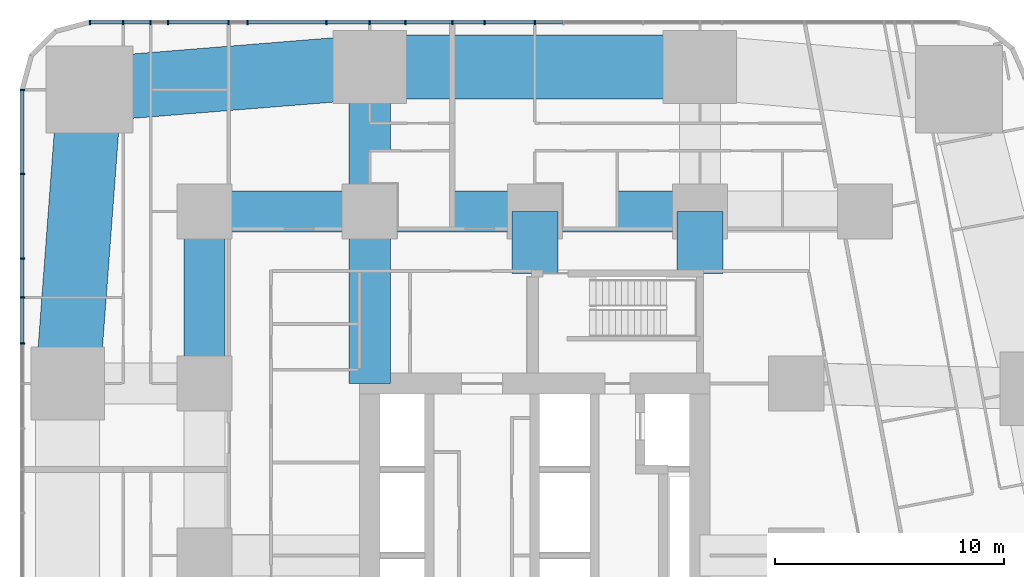
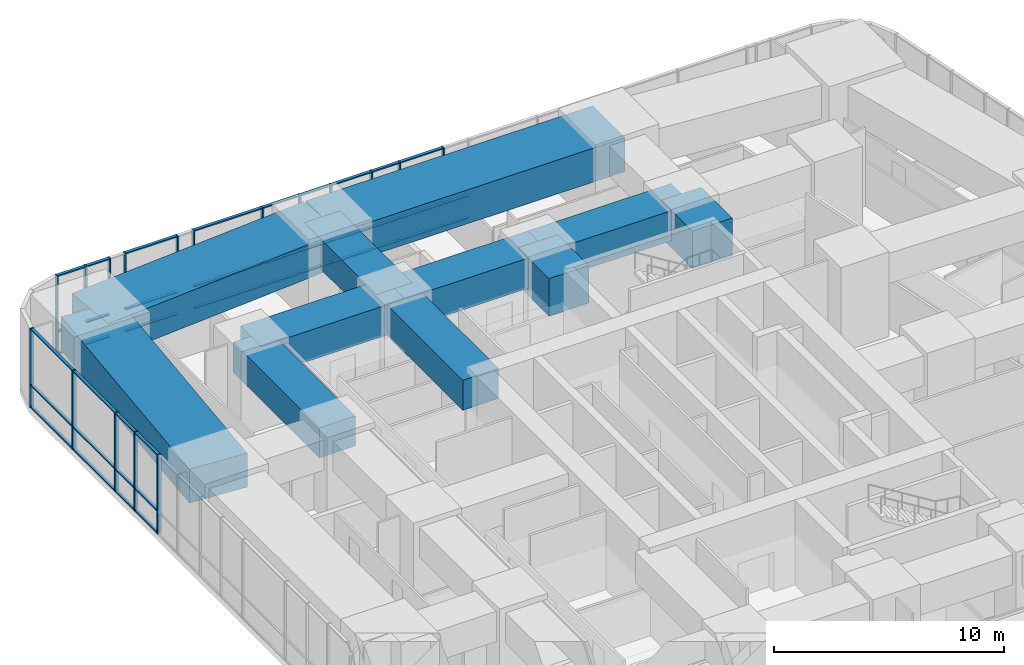
# One storey, part 7 of 22: 58 members, 11 beams, 2 elements without a shape of their own.
"""IFC4 building model written with IfcOpenShell, lengths in metres."""

from ifc_helpers import new_model, si_unit, direction, frame, origin, origin_2d, place, context, subcontext, project, spatial, rectangle, extrude, material, material_profile, profile_set, type_object, element, aggregate, save


model = new_model("IFC4")

# Units and contexts
model_context = context("Model", 3, precision=1e-05, world=origin(), true_north=direction((0.0, 1.0)))
body_context = subcontext(model_context, "Body", "Model", "MODEL_VIEW")
ifc_project = project(units=[si_unit("LENGTHUNIT", "METRE"), si_unit("AREAUNIT", "SQUARE_METRE"), si_unit("VOLUMEUNIT", "CUBIC_METRE"), si_unit("PLANEANGLEUNIT", "RADIAN"), si_unit("MASSUNIT", "GRAM", prefix="KILO")], contexts=[model_context])

# Site, building, storey
site_placement = place(None, origin())
site = spatial("IfcSite", under=ifc_project, at=site_placement, CompositionType="ELEMENT")
building_placement = place(site_placement, origin())
building = spatial("IfcBuilding", under=site, at=building_placement, Name="Sheger Commons Tower", CompositionType="ELEMENT")
storey_placement = place(building_placement, frame((0.0, 0.0, 10.10009765625)))
storey = spatial("IfcBuildingStorey", under=building, at=storey_placement, Name="L02", CompositionType="ELEMENT", Elevation=10.10009765625)

# Beams
ifc_material_1 = material(Name="Concrete C50/60", Category="concrete")
ifc_material_profile_1 = material_profile(ifc_material_1, rectangle(XDim=1.800048828125, YDim=1.60009765625, at=origin_2d()), Name="RC 1800x1600")
ifc_profile_set_1 = profile_set([ifc_material_profile_1], Name="Concrete C50/60")
beam_type_1 = type_object("IfcBeamType", Name="BEAM RC 1800x1600", PredefinedType="BEAM", material=ifc_profile_set_1)
beam_1_placement = place(storey_placement, frame((7.199951171875, 37.5, 3.39990234375), z_axis=(1.0, 0.0, 0.0), x_axis=(0.0, 1.0, 0.0)))
element("IfcBeam", 1, at=beam_1_placement, inside=storey, type_object=beam_type_1, Name="Beam 2/F-3/F under L03", PredefinedType="BEAM", context=body_context, shape_type="SweptSolid", body=[
    extrude(rectangle(XDim=1.800048828125, YDim=1.60009765625, at=origin_2d()), origin(), (0.0, 0.0, 1.0), 7.199951171875),
])
beam_2_placement = place(storey_placement, frame((14.39990234375, 37.5, 3.39990234375), z_axis=(1.0, 0.0, 0.0), x_axis=(0.0, 1.0, 0.0)))
element("IfcBeam", 2, at=beam_2_placement, inside=storey, type_object=beam_type_1, Name="Beam 3/F-4/F under L03", PredefinedType="BEAM", context=body_context, shape_type="SweptSolid", body=[
    extrude(rectangle(XDim=1.800048828125, YDim=1.60009765625, at=origin_2d()), origin(), (0.0, 0.0, 1.0), 7.2001953125),
])
beam_3_placement = place(storey_placement, frame((21.60009765625, 37.5, 3.39990234375), z_axis=(1.0, 0.0, 0.0), x_axis=(0.0, 1.0, 0.0)))
element("IfcBeam", 3, at=beam_3_placement, inside=storey, type_object=beam_type_1, Name="Beam 4/F-5/F under L03", PredefinedType="BEAM", context=body_context, shape_type="SweptSolid", body=[
    extrude(rectangle(XDim=1.800048828125, YDim=1.60009765625, at=origin_2d()), origin(), (0.0, 0.0, 1.0), 7.199951171875),
])
for number, where, z_axis, x_axis, name in (
    (4, (7.199951171875, 30.0, 3.39990234375), (0.0, 1.0, 0.0), (-1.0, 0.0, 0.0), "Beam 2/E-2/F under L03"),
    (5, (14.39990234375, 30.0, 3.39990234375), (0.0, 1.0, 0.0), (-1.0, 0.0, 0.0), "Beam 3/E-3/F under L03"),
):
    element("IfcBeam", number, at=place(storey_placement, frame(where, z_axis=z_axis, x_axis=x_axis)), inside=storey, type_object=beam_type_1, Name=name, PredefinedType="BEAM", context=body_context, shape_type="SweptSolid", body=[
        extrude(rectangle(XDim=1.800048828125, YDim=1.60009765625, at=origin_2d()), origin(), (0.0, 0.0, 1.0), 7.5),
    ])
beam_4_placement = place(storey_placement, frame((14.39990234375, 37.5, 3.39990234375), z_axis=(0.0, 1.0, 0.0), x_axis=(-1.0, 0.0, 0.0)))
element("IfcBeam", 6, at=beam_4_placement, inside=storey, type_object=beam_type_1, Name="Beam 3/F-3/G under L03", PredefinedType="BEAM", context=body_context, shape_type="SweptSolid", body=[
    extrude(rectangle(XDim=1.800048828125, YDim=1.60009765625, at=origin_2d()), origin(), (0.0, 0.0, 1.0), 6.300048828125),
])
ifc_material_2 = material(Name="Concrete C50/60", Category="concrete")
ifc_material_profile_2 = material_profile(ifc_material_2, rectangle(XDim=2.0, YDim=2.0, at=origin_2d()), Name="RC 2000x2000")
ifc_profile_set_2 = profile_set([ifc_material_profile_2], Name="Concrete C50/60")
beam_type_2 = type_object("IfcBeamType", Name="BEAM RC 2000x2000", PredefinedType="BEAM", material=ifc_profile_set_2)
for number, where, z_axis, x_axis, name in (
    (7, (21.60009765625, 34.800048828125, 3.199951171875), (0.0, 1.0, 0.0), (-1.0, 0.0, 0.0), "Beam 21.600,34.800-4/F under L03"),
    (8, (28.800048828125, 34.800048828125, 3.199951171875), (0.0, 1.0, 0.0), (-1.0, 0.0, 0.0), "Beam 28.800,34.800-5/F under L03"),
):
    element("IfcBeam", number, at=place(storey_placement, frame(where, z_axis=z_axis, x_axis=x_axis)), inside=storey, type_object=beam_type_2, Name=name, PredefinedType="BEAM", context=body_context, shape_type="SweptSolid", body=[
        extrude(rectangle(XDim=2.0, YDim=2.0, at=origin_2d()), origin(), (0.0, 0.0, 1.0), 2.699951171875),
    ])

# Curtain wall, members
ifc_material_3 = material(Name="Black aluminium curtain wall, dark tinted glazing", Category="aluminium")
curtain_wall_type = type_object("IfcCurtainWallType", Name="CURTAIN WALL CW2 HEALTH CENTRE", PredefinedType="USERDEFINED", material=ifc_material_3)
curtain_wall_1_placement = place(storey_placement, origin())
curtain_wall_1 = element("IfcCurtainWall", 9, at=curtain_wall_1_placement, inside=storey, type_object=curtain_wall_type, Name="Curtain Wall Cw2 Health Centre N1 L02", ObjectType="STICK CURTAIN WALL", PredefinedType="USERDEFINED")
ifc_material_4 = material(Name="Black anodised aluminium", Category="aluminium")
ifc_material_profile_3 = material_profile(ifc_material_4, rectangle(XDim=0.199951171875, YDim=0.06494140625, at=origin_2d()), Name="AL 65x200")
ifc_profile_set_3 = profile_set([ifc_material_profile_3], Name="Black anodised aluminium")
member_type_1 = type_object("IfcMemberType", Name="MULLION AL 65x200", PredefinedType="MULLION", material=ifc_profile_set_3)
member_1_placement = place(storey_placement, frame((21.60009765625, 45.75, 0.0), z_axis=(0.0, 0.0, 1.0), x_axis=(0.0, -1.0, 0.0)))
member_1 = element("IfcMember", 10, at=member_1_placement, type_object=member_type_1, Name="CW2 mullion 10", PredefinedType="MULLION", context=body_context, shape_type="SweptSolid", body=[
    extrude(rectangle(XDim=0.199951171875, YDim=0.06494140625, at=origin_2d()), origin(), (0.0, 0.0, 1.0), 4.199951171875),
])
member_2_placement = place(storey_placement, frame((19.409912109375, 45.75, 0.0), z_axis=(0.0, 0.0, 1.0), x_axis=(0.0, -1.0, 0.0)))
member_2 = element("IfcMember", 11, at=member_2_placement, type_object=member_type_1, Name="CW2 mullion 11", PredefinedType="MULLION", context=body_context, shape_type="SweptSolid", body=[
    extrude(rectangle(XDim=0.199951171875, YDim=0.06494140625, at=origin_2d()), origin(), (0.0, 0.0, 1.0), 4.199951171875),
])
member_3_placement = place(storey_placement, frame((18.0, 45.75, 0.0), z_axis=(0.0, 0.0, 1.0), x_axis=(0.0, -1.0, 0.0)))
member_3 = element("IfcMember", 12, at=member_3_placement, type_object=member_type_1, Name="CW2 mullion 12", PredefinedType="MULLION", context=body_context, shape_type="SweptSolid", body=[
    extrude(rectangle(XDim=0.199951171875, YDim=0.06494140625, at=origin_2d()), origin(), (0.0, 0.0, 1.0), 4.199951171875),
])
member_4_placement = place(storey_placement, frame((15.9599609375, 45.75, 0.0), z_axis=(0.0, 0.0, 1.0), x_axis=(0.0, -1.0, 0.0)))
member_4 = element("IfcMember", 13, at=member_4_placement, type_object=member_type_1, Name="CW2 mullion 13", PredefinedType="MULLION", context=body_context, shape_type="SweptSolid", body=[
    extrude(rectangle(XDim=0.199951171875, YDim=0.06494140625, at=origin_2d()), origin(), (0.0, 0.0, 1.0), 4.199951171875),
])
member_5_placement = place(storey_placement, frame((14.39990234375, 45.75, 0.0), z_axis=(0.0, 0.0, 1.0), x_axis=(0.0, -1.0, 0.0)))
member_5 = element("IfcMember", 14, at=member_5_placement, type_object=member_type_1, Name="CW2 mullion 14", PredefinedType="MULLION", context=body_context, shape_type="SweptSolid", body=[
    extrude(rectangle(XDim=0.199951171875, YDim=0.06494140625, at=origin_2d()), origin(), (0.0, 0.0, 1.0), 4.199951171875),
])
member_6_placement = place(storey_placement, frame((12.510986328125, 45.75, 0.0), z_axis=(0.0, 0.0, 1.0), x_axis=(0.0, -1.0, 0.0)))
member_6 = element("IfcMember", 15, at=member_6_placement, type_object=member_type_1, Name="CW2 mullion 15", PredefinedType="MULLION", context=body_context, shape_type="SweptSolid", body=[
    extrude(rectangle(XDim=0.199951171875, YDim=0.06494140625, at=origin_2d()), origin(), (0.0, 0.0, 1.0), 4.199951171875),
])
member_7_placement = place(storey_placement, frame((9.06201171875, 45.75, 0.0), z_axis=(0.0, 0.0, 1.0), x_axis=(0.0, -1.0, 0.0)))
member_7 = element("IfcMember", 16, at=member_7_placement, type_object=member_type_1, Name="CW2 mullion 16", PredefinedType="MULLION", context=body_context, shape_type="SweptSolid", body=[
    extrude(rectangle(XDim=0.199951171875, YDim=0.06494140625, at=origin_2d()), origin(), (0.0, 0.0, 1.0), 4.199951171875),
])
member_8_placement = place(storey_placement, frame((8.25, 45.75, 0.0), z_axis=(0.0, 0.0, 1.0), x_axis=(0.0, -1.0, 0.0)))
member_8 = element("IfcMember", 17, at=member_8_placement, type_object=member_type_1, Name="CW2 mullion 17", PredefinedType="MULLION", context=body_context, shape_type="SweptSolid", body=[
    extrude(rectangle(XDim=0.199951171875, YDim=0.06494140625, at=origin_2d()), origin(), (0.0, 0.0, 1.0), 4.199951171875),
])
member_9_placement = place(storey_placement, frame((5.612060546875, 45.75, 0.0), z_axis=(0.0, 0.0, 1.0), x_axis=(0.0, -1.0, 0.0)))
member_9 = element("IfcMember", 18, at=member_9_placement, type_object=member_type_1, Name="CW2 mullion 18", PredefinedType="MULLION", context=body_context, shape_type="SweptSolid", body=[
    extrude(rectangle(XDim=0.199951171875, YDim=0.06494140625, at=origin_2d()), origin(), (0.0, 0.0, 1.0), 4.199951171875),
])
member_10_placement = place(storey_placement, frame((4.85009765625, 45.75, 0.0), z_axis=(0.0, 0.0, 1.0), x_axis=(0.0, -1.0, 0.0)))
member_10 = element("IfcMember", 19, at=member_10_placement, type_object=member_type_1, Name="CW2 mullion 19", PredefinedType="MULLION", context=body_context, shape_type="SweptSolid", body=[
    extrude(rectangle(XDim=0.199951171875, YDim=0.06494140625, at=origin_2d()), origin(), (0.0, 0.0, 1.0), 4.199951171875),
])
member_11_placement = place(storey_placement, frame((3.64990234375, 45.75, 0.0), z_axis=(0.0, 0.0, 1.0), x_axis=(0.0, -1.0, 0.0)))
member_11 = element("IfcMember", 20, at=member_11_placement, type_object=member_type_1, Name="CW2 mullion 20", PredefinedType="MULLION", context=body_context, shape_type="SweptSolid", body=[
    extrude(rectangle(XDim=0.199951171875, YDim=0.06494140625, at=origin_2d()), origin(), (0.0, 0.0, 1.0), 4.199951171875),
])
member_12_placement = place(storey_placement, frame((2.195556640625, 45.75, 0.0), z_axis=(0.0, 0.0, 1.0), x_axis=(0.0, -1.0, 0.0)))
member_12 = element("IfcMember", 21, at=member_12_placement, type_object=member_type_1, Name="CW2 mullion 21", PredefinedType="MULLION", context=body_context, shape_type="SweptSolid", body=[
    extrude(rectangle(XDim=0.199951171875, YDim=0.06494140625, at=origin_2d()), origin(), (0.0, 0.0, 1.0), 4.199951171875),
])

curtain_wall_2_placement = place(storey_placement, origin())
curtain_wall_2 = element("IfcCurtainWall", 22, at=curtain_wall_2_placement, inside=storey, type_object=curtain_wall_type, Name="Curtain Wall Cw2 Health Centre W1 L02", ObjectType="STICK CURTAIN WALL", PredefinedType="USERDEFINED")
member_13_placement = place(storey_placement, frame((-0.75, 42.804443359375, 0.0), z_axis=(0.0, 0.0, 1.0), x_axis=(1.0, 0.0, 0.0)))
member_13 = element("IfcMember", 23, at=member_13_placement, type_object=member_type_1, Name="CW2 mullion 1", PredefinedType="MULLION", context=body_context, shape_type="SweptSolid", body=[
    extrude(rectangle(XDim=0.199951171875, YDim=0.06494140625, at=origin_2d()), origin(), (0.0, 0.0, 1.0), 4.199951171875),
])
member_14_placement = place(storey_placement, frame((-0.75, 39.138916015625, 0.0), z_axis=(0.0, 0.0, 1.0), x_axis=(1.0, 0.0, 0.0)))
member_14 = element("IfcMember", 24, at=member_14_placement, type_object=member_type_1, Name="CW2 mullion 2", PredefinedType="MULLION", context=body_context, shape_type="SweptSolid", body=[
    extrude(rectangle(XDim=0.199951171875, YDim=0.06494140625, at=origin_2d()), origin(), (0.0, 0.0, 1.0), 4.199951171875),
])
member_15_placement = place(storey_placement, frame((-0.75, 35.44189453125, 0.0), z_axis=(0.0, 0.0, 1.0), x_axis=(1.0, 0.0, 0.0)))
member_15 = element("IfcMember", 25, at=member_15_placement, type_object=member_type_1, Name="CW2 mullion 3", PredefinedType="MULLION", context=body_context, shape_type="SweptSolid", body=[
    extrude(rectangle(XDim=0.199951171875, YDim=0.06494140625, at=origin_2d()), origin(), (0.0, 0.0, 1.0), 4.199951171875),
])
member_16_placement = place(storey_placement, frame((-0.75, 33.75, 0.0), z_axis=(0.0, 0.0, 1.0), x_axis=(1.0, 0.0, 0.0)))
member_16 = element("IfcMember", 26, at=member_16_placement, type_object=member_type_1, Name="CW2 mullion 4", PredefinedType="MULLION", context=body_context, shape_type="SweptSolid", body=[
    extrude(rectangle(XDim=0.199951171875, YDim=0.06494140625, at=origin_2d()), origin(), (0.0, 0.0, 1.0), 4.199951171875),
])
member_17_placement = place(storey_placement, frame((-0.75, 31.743896484375, 0.0), z_axis=(0.0, 0.0, 1.0), x_axis=(1.0, 0.0, 0.0)))
member_17 = element("IfcMember", 27, at=member_17_placement, type_object=member_type_1, Name="CW2 mullion 5", PredefinedType="MULLION", context=body_context, shape_type="SweptSolid", body=[
    extrude(rectangle(XDim=0.199951171875, YDim=0.06494140625, at=origin_2d()), origin(), (0.0, 0.0, 1.0), 4.199951171875),
])

# Beams
ifc_material_5 = material(Name="Concrete C50/60", Category="concrete")
ifc_material_profile_4 = material_profile(ifc_material_5, rectangle(XDim=2.800048828125, YDim=1.800048828125, at=origin_2d()), Name="RC 2800x1800")
ifc_profile_set_4 = profile_set([ifc_material_profile_4], Name="Concrete C50/60")
beam_type_3 = type_object("IfcBeamType", Name="SPANDREL RC 2800x1800", PredefinedType="SPANDREL", material=ifc_profile_set_4)
beam_5_placement = place(storey_placement, frame((28.800048828125, 43.800048828125, 3.2998046875), z_axis=(-1.0, 0.0, 0.0), x_axis=(0.0, -1.0, 0.0)))
element("IfcBeam", 28, at=beam_5_placement, inside=storey, type_object=beam_type_3, Name="Beam 5/G-3/G under L03", PredefinedType="SPANDREL", context=body_context, shape_type="SweptSolid", body=[
    extrude(rectangle(XDim=2.800048828125, YDim=1.800048828125, at=origin_2d()), origin(), (0.0, 0.0, 1.0), 14.400146484375),
])
beam_6_placement = place(storey_placement, frame((14.39990234375, 43.800048828125, 3.2998046875), z_axis=(-0.996756793053, -0.080472948891, 0.0), x_axis=(0.080472948891, -0.996756793053, 0.0)))
element("IfcBeam", 29, at=beam_6_placement, inside=storey, type_object=beam_type_3, Name="Beam 3/G-0.630,44.370 under L03", PredefinedType="SPANDREL", context=body_context, shape_type="SweptSolid", body=[
    extrude(rectangle(XDim=2.800048828125, YDim=1.800048828125, at=origin_2d()), origin(), (0.0, 0.0, 1.0), 12.253662109375),
])
beam_7_placement = place(storey_placement, frame((2.18603515625, 42.81396484375, 3.2998046875), z_axis=(-0.074781446354, -0.997199947494, 0.0), x_axis=(0.997199947494, -0.074781446354, 0.0)))
element("IfcBeam", 30, at=beam_7_placement, inside=storey, type_object=beam_type_3, Name="Beam 0.630,44.370-1/E under L03", PredefinedType="SPANDREL", context=body_context, shape_type="SweptSolid", body=[
    extrude(rectangle(XDim=2.800048828125, YDim=1.800048828125, at=origin_2d()), origin(), (0.0, 0.0, 1.0), 12.849853515625),
])

# Member
ifc_material_6 = material(Name="Black anodised aluminium", Category="aluminium")
ifc_material_profile_5 = material_profile(ifc_material_6, rectangle(XDim=0.14990234375, YDim=0.06494140625, at=origin_2d()), Name="AL 65x150")
ifc_profile_set_5 = profile_set([ifc_material_profile_5], Name="Black anodised aluminium")
member_type_2 = type_object("IfcMemberType", Name="TRANSOM AL 65x150", PredefinedType="USERDEFINED", material=ifc_profile_set_5)
member_18_placement = place(storey_placement, frame((22.826416015625, 45.75, 0.032470703125), z_axis=(-1.0, 0.0, 0.0), x_axis=(0.0, -1.0, 0.0)))
member_18 = element("IfcMember", 31, at=member_18_placement, type_object=member_type_2, Name="CW2 transom 9.1", ObjectType="TRANSOM", PredefinedType="USERDEFINED", context=body_context, shape_type="SweptSolid", body=[
    extrude(rectangle(XDim=0.14990234375, YDim=0.06494140625, at=origin_2d()), origin(), (0.0, 0.0, 1.0), 1.19384765625),
])

member_19_placement = place(storey_placement, frame((22.826416015625, 45.75, 1.199951171875), z_axis=(-1.0, 0.0, 0.0), x_axis=(0.0, -1.0, 0.0)))
member_19 = element("IfcMember", 32, at=member_19_placement, type_object=member_type_2, Name="CW2 transom 9.2", ObjectType="TRANSOM", PredefinedType="USERDEFINED", context=body_context, shape_type="SweptSolid", body=[
    extrude(rectangle(XDim=0.14990234375, YDim=0.06494140625, at=origin_2d()), origin(), (0.0, 0.0, 1.0), 1.19384765625),
])

member_20_placement = place(storey_placement, frame((21.5673828125, 45.75, 0.032470703125), z_axis=(-1.0, 0.0, 0.0), x_axis=(0.0, -1.0, 0.0)))
member_20 = element("IfcMember", 33, at=member_20_placement, type_object=member_type_2, Name="CW2 transom 10.1", ObjectType="TRANSOM", PredefinedType="USERDEFINED", context=body_context, shape_type="SweptSolid", body=[
    extrude(rectangle(XDim=0.14990234375, YDim=0.06494140625, at=origin_2d()), origin(), (0.0, 0.0, 1.0), 2.125),
])

member_21_placement = place(storey_placement, frame((21.5673828125, 45.75, 1.199951171875), z_axis=(-1.0, 0.0, 0.0), x_axis=(0.0, -1.0, 0.0)))
member_21 = element("IfcMember", 34, at=member_21_placement, type_object=member_type_2, Name="CW2 transom 10.2", ObjectType="TRANSOM", PredefinedType="USERDEFINED", context=body_context, shape_type="SweptSolid", body=[
    extrude(rectangle(XDim=0.14990234375, YDim=0.06494140625, at=origin_2d()), origin(), (0.0, 0.0, 1.0), 2.125),
])

member_22_placement = place(storey_placement, frame((21.5673828125, 45.75, 4.16748046875), z_axis=(-1.0, 0.0, 0.0), x_axis=(0.0, -1.0, 0.0)))
member_22 = element("IfcMember", 35, at=member_22_placement, type_object=member_type_2, Name="CW2 transom 10.3", ObjectType="TRANSOM", PredefinedType="USERDEFINED", context=body_context, shape_type="SweptSolid", body=[
    extrude(rectangle(XDim=0.14990234375, YDim=0.06494140625, at=origin_2d()), origin(), (0.0, 0.0, 1.0), 2.125),
])

member_23_placement = place(storey_placement, frame((19.37744140625, 45.75, 0.032470703125), z_axis=(-1.0, 0.0, 0.0), x_axis=(0.0, -1.0, 0.0)))
member_23 = element("IfcMember", 36, at=member_23_placement, type_object=member_type_2, Name="CW2 transom 11.1", ObjectType="TRANSOM", PredefinedType="USERDEFINED", context=body_context, shape_type="SweptSolid", body=[
    extrude(rectangle(XDim=0.14990234375, YDim=0.06494140625, at=origin_2d()), origin(), (0.0, 0.0, 1.0), 1.344970703125),
])

member_24_placement = place(storey_placement, frame((19.37744140625, 45.75, 1.199951171875), z_axis=(-1.0, 0.0, 0.0), x_axis=(0.0, -1.0, 0.0)))
member_24 = element("IfcMember", 37, at=member_24_placement, type_object=member_type_2, Name="CW2 transom 11.2", ObjectType="TRANSOM", PredefinedType="USERDEFINED", context=body_context, shape_type="SweptSolid", body=[
    extrude(rectangle(XDim=0.14990234375, YDim=0.06494140625, at=origin_2d()), origin(), (0.0, 0.0, 1.0), 1.344970703125),
])

member_25_placement = place(storey_placement, frame((19.37744140625, 45.75, 4.16748046875), z_axis=(-1.0, 0.0, 0.0), x_axis=(0.0, -1.0, 0.0)))
member_25 = element("IfcMember", 38, at=member_25_placement, type_object=member_type_2, Name="CW2 transom 11.3", ObjectType="TRANSOM", PredefinedType="USERDEFINED", context=body_context, shape_type="SweptSolid", body=[
    extrude(rectangle(XDim=0.14990234375, YDim=0.06494140625, at=origin_2d()), origin(), (0.0, 0.0, 1.0), 1.344970703125),
])

member_26_placement = place(storey_placement, frame((17.967529296875, 45.75, 0.032470703125), z_axis=(-1.0, 0.0, 0.0), x_axis=(0.0, -1.0, 0.0)))
member_26 = element("IfcMember", 39, at=member_26_placement, type_object=member_type_2, Name="CW2 transom 12.1", ObjectType="TRANSOM", PredefinedType="USERDEFINED", context=body_context, shape_type="SweptSolid", body=[
    extrude(rectangle(XDim=0.14990234375, YDim=0.06494140625, at=origin_2d()), origin(), (0.0, 0.0, 1.0), 1.97509765625),
])

member_27_placement = place(storey_placement, frame((17.967529296875, 45.75, 1.199951171875), z_axis=(-1.0, 0.0, 0.0), x_axis=(0.0, -1.0, 0.0)))
member_27 = element("IfcMember", 40, at=member_27_placement, type_object=member_type_2, Name="CW2 transom 12.2", ObjectType="TRANSOM", PredefinedType="USERDEFINED", context=body_context, shape_type="SweptSolid", body=[
    extrude(rectangle(XDim=0.14990234375, YDim=0.06494140625, at=origin_2d()), origin(), (0.0, 0.0, 1.0), 1.97509765625),
])

member_28_placement = place(storey_placement, frame((17.967529296875, 45.75, 4.16748046875), z_axis=(-1.0, 0.0, 0.0), x_axis=(0.0, -1.0, 0.0)))
member_28 = element("IfcMember", 41, at=member_28_placement, type_object=member_type_2, Name="CW2 transom 12.3", ObjectType="TRANSOM", PredefinedType="USERDEFINED", context=body_context, shape_type="SweptSolid", body=[
    extrude(rectangle(XDim=0.14990234375, YDim=0.06494140625, at=origin_2d()), origin(), (0.0, 0.0, 1.0), 1.97509765625),
])

member_29_placement = place(storey_placement, frame((15.927490234375, 45.75, 0.032470703125), z_axis=(-1.0, 0.0, 0.0), x_axis=(0.0, -1.0, 0.0)))
member_29 = element("IfcMember", 42, at=member_29_placement, type_object=member_type_2, Name="CW2 transom 13.1", ObjectType="TRANSOM", PredefinedType="USERDEFINED", context=body_context, shape_type="SweptSolid", body=[
    extrude(rectangle(XDim=0.14990234375, YDim=0.06494140625, at=origin_2d()), origin(), (0.0, 0.0, 1.0), 1.494873046875),
])

member_30_placement = place(storey_placement, frame((15.927490234375, 45.75, 1.199951171875), z_axis=(-1.0, 0.0, 0.0), x_axis=(0.0, -1.0, 0.0)))
member_30 = element("IfcMember", 43, at=member_30_placement, type_object=member_type_2, Name="CW2 transom 13.2", ObjectType="TRANSOM", PredefinedType="USERDEFINED", context=body_context, shape_type="SweptSolid", body=[
    extrude(rectangle(XDim=0.14990234375, YDim=0.06494140625, at=origin_2d()), origin(), (0.0, 0.0, 1.0), 1.494873046875),
])

member_31_placement = place(storey_placement, frame((15.927490234375, 45.75, 4.16748046875), z_axis=(-1.0, 0.0, 0.0), x_axis=(0.0, -1.0, 0.0)))
member_31 = element("IfcMember", 44, at=member_31_placement, type_object=member_type_2, Name="CW2 transom 13.3", ObjectType="TRANSOM", PredefinedType="USERDEFINED", context=body_context, shape_type="SweptSolid", body=[
    extrude(rectangle(XDim=0.14990234375, YDim=0.06494140625, at=origin_2d()), origin(), (0.0, 0.0, 1.0), 1.494873046875),
])

member_32_placement = place(storey_placement, frame((14.367431640625, 45.75, 0.032470703125), z_axis=(-1.0, 0.0, 0.0), x_axis=(0.0, -1.0, 0.0)))
member_32 = element("IfcMember", 45, at=member_32_placement, type_object=member_type_2, Name="CW2 transom 14.1", ObjectType="TRANSOM", PredefinedType="USERDEFINED", context=body_context, shape_type="SweptSolid", body=[
    extrude(rectangle(XDim=0.14990234375, YDim=0.06494140625, at=origin_2d()), origin(), (0.0, 0.0, 1.0), 1.823974609375),
])

member_33_placement = place(storey_placement, frame((14.367431640625, 45.75, 1.199951171875), z_axis=(-1.0, 0.0, 0.0), x_axis=(0.0, -1.0, 0.0)))
member_33 = element("IfcMember", 46, at=member_33_placement, type_object=member_type_2, Name="CW2 transom 14.2", ObjectType="TRANSOM", PredefinedType="USERDEFINED", context=body_context, shape_type="SweptSolid", body=[
    extrude(rectangle(XDim=0.14990234375, YDim=0.06494140625, at=origin_2d()), origin(), (0.0, 0.0, 1.0), 1.823974609375),
])

member_34_placement = place(storey_placement, frame((14.367431640625, 45.75, 4.16748046875), z_axis=(-1.0, 0.0, 0.0), x_axis=(0.0, -1.0, 0.0)))
member_34 = element("IfcMember", 47, at=member_34_placement, type_object=member_type_2, Name="CW2 transom 14.3", ObjectType="TRANSOM", PredefinedType="USERDEFINED", context=body_context, shape_type="SweptSolid", body=[
    extrude(rectangle(XDim=0.14990234375, YDim=0.06494140625, at=origin_2d()), origin(), (0.0, 0.0, 1.0), 1.823974609375),
])

member_35_placement = place(storey_placement, frame((12.478515625, 45.75, 0.032470703125), z_axis=(-1.0, 0.0, 0.0), x_axis=(0.0, -1.0, 0.0)))
member_35 = element("IfcMember", 48, at=member_35_placement, type_object=member_type_2, Name="CW2 transom 15.1", ObjectType="TRANSOM", PredefinedType="USERDEFINED", context=body_context, shape_type="SweptSolid", body=[
    extrude(rectangle(XDim=0.14990234375, YDim=0.06494140625, at=origin_2d()), origin(), (0.0, 0.0, 1.0), 3.384033203125),
])

member_36_placement = place(storey_placement, frame((12.478515625, 45.75, 1.199951171875), z_axis=(-1.0, 0.0, 0.0), x_axis=(0.0, -1.0, 0.0)))
member_36 = element("IfcMember", 49, at=member_36_placement, type_object=member_type_2, Name="CW2 transom 15.2", ObjectType="TRANSOM", PredefinedType="USERDEFINED", context=body_context, shape_type="SweptSolid", body=[
    extrude(rectangle(XDim=0.14990234375, YDim=0.06494140625, at=origin_2d()), origin(), (0.0, 0.0, 1.0), 3.384033203125),
])

member_37_placement = place(storey_placement, frame((12.478515625, 45.75, 4.16748046875), z_axis=(-1.0, 0.0, 0.0), x_axis=(0.0, -1.0, 0.0)))
member_37 = element("IfcMember", 50, at=member_37_placement, type_object=member_type_2, Name="CW2 transom 15.3", ObjectType="TRANSOM", PredefinedType="USERDEFINED", context=body_context, shape_type="SweptSolid", body=[
    extrude(rectangle(XDim=0.14990234375, YDim=0.06494140625, at=origin_2d()), origin(), (0.0, 0.0, 1.0), 3.384033203125),
])

member_38_placement = place(storey_placement, frame((8.217529296875, 45.75, 0.032470703125), z_axis=(-1.0, 0.0, 0.0), x_axis=(0.0, -1.0, 0.0)))
member_38 = element("IfcMember", 51, at=member_38_placement, type_object=member_type_2, Name="CW2 transom 17.1", ObjectType="TRANSOM", PredefinedType="USERDEFINED", context=body_context, shape_type="SweptSolid", body=[
    extrude(rectangle(XDim=0.14990234375, YDim=0.06494140625, at=origin_2d()), origin(), (0.0, 0.0, 1.0), 2.572998046875),
])

member_39_placement = place(storey_placement, frame((8.217529296875, 45.75, 1.199951171875), z_axis=(-1.0, 0.0, 0.0), x_axis=(0.0, -1.0, 0.0)))
member_39 = element("IfcMember", 52, at=member_39_placement, type_object=member_type_2, Name="CW2 transom 17.2", ObjectType="TRANSOM", PredefinedType="USERDEFINED", context=body_context, shape_type="SweptSolid", body=[
    extrude(rectangle(XDim=0.14990234375, YDim=0.06494140625, at=origin_2d()), origin(), (0.0, 0.0, 1.0), 2.572998046875),
])

member_40_placement = place(storey_placement, frame((8.217529296875, 45.75, 4.16748046875), z_axis=(-1.0, 0.0, 0.0), x_axis=(0.0, -1.0, 0.0)))
member_40 = element("IfcMember", 53, at=member_40_placement, type_object=member_type_2, Name="CW2 transom 17.3", ObjectType="TRANSOM", PredefinedType="USERDEFINED", context=body_context, shape_type="SweptSolid", body=[
    extrude(rectangle(XDim=0.14990234375, YDim=0.06494140625, at=origin_2d()), origin(), (0.0, 0.0, 1.0), 2.572998046875),
])

member_41_placement = place(storey_placement, frame((4.8173828125, 45.75, 0.032470703125), z_axis=(-1.0, 0.0, 0.0), x_axis=(0.0, -1.0, 0.0)))
member_41 = element("IfcMember", 54, at=member_41_placement, type_object=member_type_2, Name="CW2 transom 19.1", ObjectType="TRANSOM", PredefinedType="USERDEFINED", context=body_context, shape_type="SweptSolid", body=[
    extrude(rectangle(XDim=0.14990234375, YDim=0.06494140625, at=origin_2d()), origin(), (0.0, 0.0, 1.0), 1.134765625),
])

member_42_placement = place(storey_placement, frame((4.8173828125, 45.75, 1.199951171875), z_axis=(-1.0, 0.0, 0.0), x_axis=(0.0, -1.0, 0.0)))
member_42 = element("IfcMember", 55, at=member_42_placement, type_object=member_type_2, Name="CW2 transom 19.2", ObjectType="TRANSOM", PredefinedType="USERDEFINED", context=body_context, shape_type="SweptSolid", body=[
    extrude(rectangle(XDim=0.14990234375, YDim=0.06494140625, at=origin_2d()), origin(), (0.0, 0.0, 1.0), 1.134765625),
])

member_43_placement = place(storey_placement, frame((4.8173828125, 45.75, 4.16748046875), z_axis=(-1.0, 0.0, 0.0), x_axis=(0.0, -1.0, 0.0)))
member_43 = element("IfcMember", 56, at=member_43_placement, type_object=member_type_2, Name="CW2 transom 19.3", ObjectType="TRANSOM", PredefinedType="USERDEFINED", context=body_context, shape_type="SweptSolid", body=[
    extrude(rectangle(XDim=0.14990234375, YDim=0.06494140625, at=origin_2d()), origin(), (0.0, 0.0, 1.0), 1.134765625),
])

member_44_placement = place(storey_placement, frame((3.617431640625, 45.75, 0.032470703125), z_axis=(-1.0, 0.0, 0.0), x_axis=(0.0, -1.0, 0.0)))
member_44 = element("IfcMember", 57, at=member_44_placement, type_object=member_type_2, Name="CW2 transom 20.1", ObjectType="TRANSOM", PredefinedType="USERDEFINED", context=body_context, shape_type="SweptSolid", body=[
    extrude(rectangle(XDim=0.14990234375, YDim=0.06494140625, at=origin_2d()), origin(), (0.0, 0.0, 1.0), 1.389404296875),
])

member_45_placement = place(storey_placement, frame((3.617431640625, 45.75, 1.199951171875), z_axis=(-1.0, 0.0, 0.0), x_axis=(0.0, -1.0, 0.0)))
member_45 = element("IfcMember", 58, at=member_45_placement, type_object=member_type_2, Name="CW2 transom 20.2", ObjectType="TRANSOM", PredefinedType="USERDEFINED", context=body_context, shape_type="SweptSolid", body=[
    extrude(rectangle(XDim=0.14990234375, YDim=0.06494140625, at=origin_2d()), origin(), (0.0, 0.0, 1.0), 1.389404296875),
])

member_46_placement = place(storey_placement, frame((3.617431640625, 45.75, 4.16748046875), z_axis=(-1.0, 0.0, 0.0), x_axis=(0.0, -1.0, 0.0)))
member_46 = element("IfcMember", 59, at=member_46_placement, type_object=member_type_2, Name="CW2 transom 20.3", ObjectType="TRANSOM", PredefinedType="USERDEFINED", context=body_context, shape_type="SweptSolid", body=[
    extrude(rectangle(XDim=0.14990234375, YDim=0.06494140625, at=origin_2d()), origin(), (0.0, 0.0, 1.0), 1.389404296875),
])

aggregate(curtain_wall_1, [member_1, member_2, member_3, member_4, member_5, member_6, member_7, member_8, member_9, member_10, member_11, member_12, member_18, member_19, member_20, member_21, member_22, member_23, member_24, member_25, member_26, member_27, member_28, member_29, member_30, member_31, member_32, member_33, member_34, member_35, member_36, member_37, member_38, member_39, member_40, member_41, member_42, member_43, member_44, member_45, member_46])

member_47_placement = place(storey_placement, frame((-0.75, 42.77197265625, 0.032470703125), z_axis=(0.0, -1.0, 0.0), x_axis=(1.0, 0.0, 0.0)))
member_47 = element("IfcMember", 60, at=member_47_placement, type_object=member_type_2, Name="CW2 transom 1.1", ObjectType="TRANSOM", PredefinedType="USERDEFINED", context=body_context, shape_type="SweptSolid", body=[
    extrude(rectangle(XDim=0.14990234375, YDim=0.06494140625, at=origin_2d()), origin(), (0.0, 0.0, 1.0), 3.6005859375),
])

member_48_placement = place(storey_placement, frame((-0.75, 42.77197265625, 1.199951171875), z_axis=(0.0, -1.0, 0.0), x_axis=(1.0, 0.0, 0.0)))
member_48 = element("IfcMember", 61, at=member_48_placement, type_object=member_type_2, Name="CW2 transom 1.2", ObjectType="TRANSOM", PredefinedType="USERDEFINED", context=body_context, shape_type="SweptSolid", body=[
    extrude(rectangle(XDim=0.14990234375, YDim=0.06494140625, at=origin_2d()), origin(), (0.0, 0.0, 1.0), 3.6005859375),
])

member_49_placement = place(storey_placement, frame((-0.75, 42.77197265625, 4.16748046875), z_axis=(0.0, -1.0, 0.0), x_axis=(1.0, 0.0, 0.0)))
member_49 = element("IfcMember", 62, at=member_49_placement, type_object=member_type_2, Name="CW2 transom 1.3", ObjectType="TRANSOM", PredefinedType="USERDEFINED", context=body_context, shape_type="SweptSolid", body=[
    extrude(rectangle(XDim=0.14990234375, YDim=0.06494140625, at=origin_2d()), origin(), (0.0, 0.0, 1.0), 3.6005859375),
])

member_50_placement = place(storey_placement, frame((-0.75, 39.1064453125, 0.032470703125), z_axis=(0.0, -1.0, 0.0), x_axis=(1.0, 0.0, 0.0)))
member_50 = element("IfcMember", 63, at=member_50_placement, type_object=member_type_2, Name="CW2 transom 2.1", ObjectType="TRANSOM", PredefinedType="USERDEFINED", context=body_context, shape_type="SweptSolid", body=[
    extrude(rectangle(XDim=0.14990234375, YDim=0.06494140625, at=origin_2d()), origin(), (0.0, 0.0, 1.0), 3.6318359375),
])

member_51_placement = place(storey_placement, frame((-0.75, 39.1064453125, 1.199951171875), z_axis=(0.0, -1.0, 0.0), x_axis=(1.0, 0.0, 0.0)))
member_51 = element("IfcMember", 64, at=member_51_placement, type_object=member_type_2, Name="CW2 transom 2.2", ObjectType="TRANSOM", PredefinedType="USERDEFINED", context=body_context, shape_type="SweptSolid", body=[
    extrude(rectangle(XDim=0.14990234375, YDim=0.06494140625, at=origin_2d()), origin(), (0.0, 0.0, 1.0), 3.6318359375),
])

member_52_placement = place(storey_placement, frame((-0.75, 39.1064453125, 4.16748046875), z_axis=(0.0, -1.0, 0.0), x_axis=(1.0, 0.0, 0.0)))
member_52 = element("IfcMember", 65, at=member_52_placement, type_object=member_type_2, Name="CW2 transom 2.3", ObjectType="TRANSOM", PredefinedType="USERDEFINED", context=body_context, shape_type="SweptSolid", body=[
    extrude(rectangle(XDim=0.14990234375, YDim=0.06494140625, at=origin_2d()), origin(), (0.0, 0.0, 1.0), 3.6318359375),
])

member_53_placement = place(storey_placement, frame((-0.75, 35.409423828125, 0.032470703125), z_axis=(0.0, -1.0, 0.0), x_axis=(1.0, 0.0, 0.0)))
member_53 = element("IfcMember", 66, at=member_53_placement, type_object=member_type_2, Name="CW2 transom 3.1", ObjectType="TRANSOM", PredefinedType="USERDEFINED", context=body_context, shape_type="SweptSolid", body=[
    extrude(rectangle(XDim=0.14990234375, YDim=0.06494140625, at=origin_2d()), origin(), (0.0, 0.0, 1.0), 1.626953125),
])

member_54_placement = place(storey_placement, frame((-0.75, 35.409423828125, 1.199951171875), z_axis=(0.0, -1.0, 0.0), x_axis=(1.0, 0.0, 0.0)))
member_54 = element("IfcMember", 67, at=member_54_placement, type_object=member_type_2, Name="CW2 transom 3.2", ObjectType="TRANSOM", PredefinedType="USERDEFINED", context=body_context, shape_type="SweptSolid", body=[
    extrude(rectangle(XDim=0.14990234375, YDim=0.06494140625, at=origin_2d()), origin(), (0.0, 0.0, 1.0), 1.626953125),
])

member_55_placement = place(storey_placement, frame((-0.75, 35.409423828125, 4.16748046875), z_axis=(0.0, -1.0, 0.0), x_axis=(1.0, 0.0, 0.0)))
member_55 = element("IfcMember", 68, at=member_55_placement, type_object=member_type_2, Name="CW2 transom 3.3", ObjectType="TRANSOM", PredefinedType="USERDEFINED", context=body_context, shape_type="SweptSolid", body=[
    extrude(rectangle(XDim=0.14990234375, YDim=0.06494140625, at=origin_2d()), origin(), (0.0, 0.0, 1.0), 1.626953125),
])

member_56_placement = place(storey_placement, frame((-0.75, 33.717529296875, 0.032470703125), z_axis=(0.0, -1.0, 0.0), x_axis=(1.0, 0.0, 0.0)))
member_56 = element("IfcMember", 69, at=member_56_placement, type_object=member_type_2, Name="CW2 transom 4.1", ObjectType="TRANSOM", PredefinedType="USERDEFINED", context=body_context, shape_type="SweptSolid", body=[
    extrude(rectangle(XDim=0.14990234375, YDim=0.06494140625, at=origin_2d()), origin(), (0.0, 0.0, 1.0), 1.94091796875),
])

member_57_placement = place(storey_placement, frame((-0.75, 33.717529296875, 1.199951171875), z_axis=(0.0, -1.0, 0.0), x_axis=(1.0, 0.0, 0.0)))
member_57 = element("IfcMember", 70, at=member_57_placement, type_object=member_type_2, Name="CW2 transom 4.2", ObjectType="TRANSOM", PredefinedType="USERDEFINED", context=body_context, shape_type="SweptSolid", body=[
    extrude(rectangle(XDim=0.14990234375, YDim=0.06494140625, at=origin_2d()), origin(), (0.0, 0.0, 1.0), 1.94091796875),
])

member_58_placement = place(storey_placement, frame((-0.75, 33.717529296875, 4.16748046875), z_axis=(0.0, -1.0, 0.0), x_axis=(1.0, 0.0, 0.0)))
member_58 = element("IfcMember", 71, at=member_58_placement, type_object=member_type_2, Name="CW2 transom 4.3", ObjectType="TRANSOM", PredefinedType="USERDEFINED", context=body_context, shape_type="SweptSolid", body=[
    extrude(rectangle(XDim=0.14990234375, YDim=0.06494140625, at=origin_2d()), origin(), (0.0, 0.0, 1.0), 1.94091796875),
])

aggregate(curtain_wall_2, [member_13, member_14, member_15, member_16, member_17, member_47, member_48, member_49, member_50, member_51, member_52, member_53, member_54, member_55, member_56, member_57, member_58])

save(model, "model.ifc")
